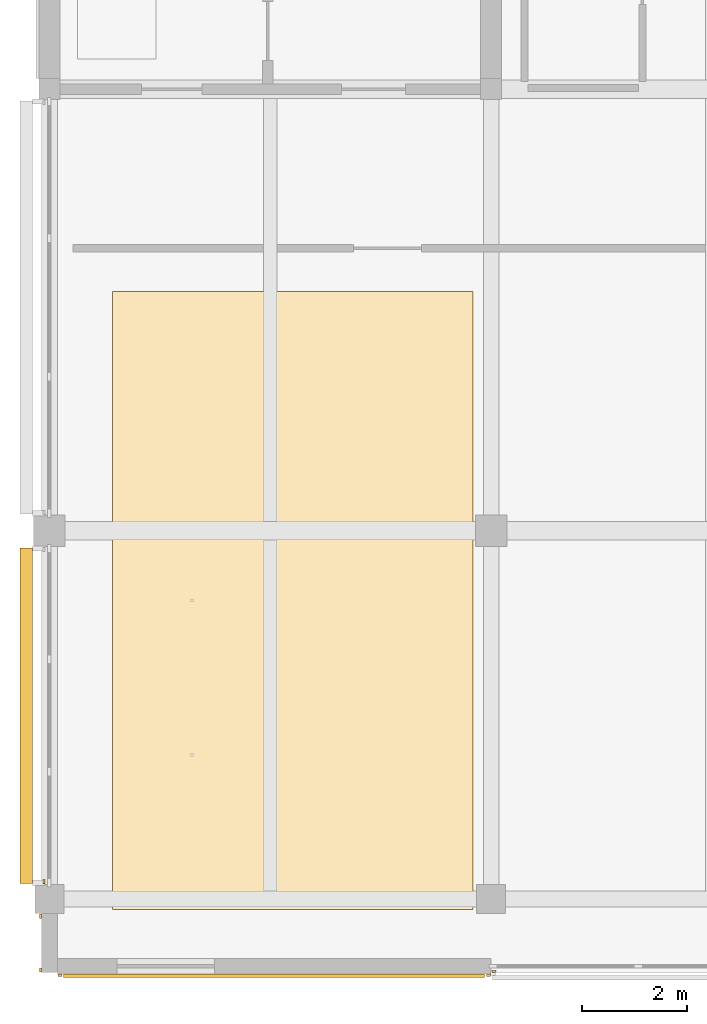
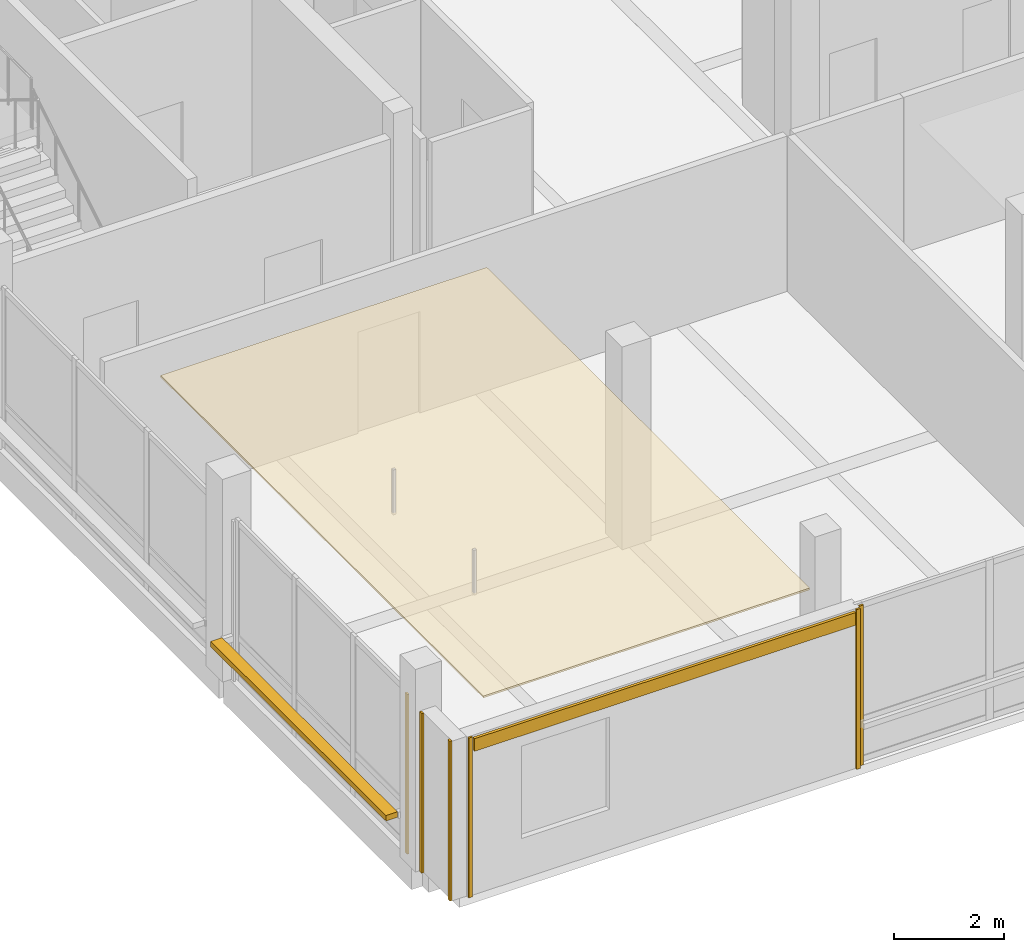
# One storey, part 14 of 25: 8 coverings, 1 shading device.
"""IFC4 building model written with IfcOpenShell, lengths in metres."""

from ifc_helpers import new_model, si_unit, direction, frame, origin, origin_2d, place, context, subcontext, project, spatial, polyline, rectangle, outline, extrude, material, layer, layer_set, type_object, element, save


model = new_model("IFC4")

# Units and contexts
model_context = context("Model", 3, precision=1e-05, world=origin(), true_north=direction((0.0, 1.0)))
body_context = subcontext(model_context, "Body", "Model", "MODEL_VIEW")
ifc_project = project(units=[si_unit("LENGTHUNIT", "METRE"), si_unit("AREAUNIT", "SQUARE_METRE"), si_unit("VOLUMEUNIT", "CUBIC_METRE"), si_unit("PLANEANGLEUNIT", "RADIAN"), si_unit("MASSUNIT", "GRAM", prefix="KILO")], contexts=[model_context])

# Site, building, storey
site_placement = place(None, origin())
site = spatial("IfcSite", under=ifc_project, at=site_placement, CompositionType="ELEMENT")
building_placement = place(site_placement, origin())
building = spatial("IfcBuilding", under=site, at=building_placement, Name="Telukmera Botanical Conservatory", CompositionType="ELEMENT")
storey_placement = place(building_placement, frame((0.0, 0.0, 64.5)))
storey = spatial("IfcBuildingStorey", under=building, at=storey_placement, Name="L14", CompositionType="ELEMENT", Elevation=64.5)

# Coverings
ifc_material_1 = material(Name="Perforated gypsum acoustic ceiling")
ifc_layer_1 = layer(ifc_material_1, 0.0400390625)
ifc_layer_set_1 = layer_set([ifc_layer_1], Name="Perforated gypsum acoustic ceiling")
covering_type_1 = type_object("IfcCoveringType", Name="COV-CEIL-40", PredefinedType="CEILING", material=ifc_layer_set_1)
covering_1_placement = place(storey_placement, frame((0.0, 0.0, 3.31005859375)))
element("IfcCovering", 1, at=covering_1_placement, inside=storey, type_object=covering_type_1, Name="L14 Symposium Seminar Room Suspended Acoustic Ceiling", PredefinedType="CEILING", context=body_context, shape_type="SweptSolid", body=[
    extrude(outline(polyline([(60.0, 10.39990234375), (66.85498046875, 10.39990234375), (66.85498046875, 22.14990234375), (60.0, 22.14990234375), (60.0, 10.39990234375)])), origin(), (0.0, 0.0, 1.0), 0.0400390625),
])
ifc_material_2 = material(Name="Granite-faced precast concrete C40/50", Category="masonry")
ifc_layer_2 = layer(ifc_material_2, 0.0400390625)
ifc_layer_set_2 = layer_set([ifc_layer_2], Name="Granite-faced precast concrete C40/50")
covering_type_2 = type_object("IfcCoveringType", Name="Granite Precast Column Pier Reveal Casing", PredefinedType="CLADDING", material=ifc_layer_set_2)
for number, where, z_axis, x_axis, name in (
    (2, (58.6298828125, 9.25, 0.0), (0.0, 0.0, 1.0), (0.0, 1.0, 0.0), "Granite Pier Reveal V4:L14:SWC L"),
    (3, (58.6298828125, 10.27294921875, 0.0), (0.0, 0.0, 1.0), (0.0, 1.0, 0.0), "Granite Pier Reveal V4:L14:SWC R"),
    (4, (59.001953125, 9.14990234375, 0.0), (0.0, 0.0, 1.0), (1.0, 0.0, 0.0), "Granite Pier Reveal V4:L14:S1 L"),
    (5, (67.14794921875, 9.14990234375, 0.0), (0.0, 0.0, 1.0), (1.0, 0.0, 0.0), "Granite Pier Reveal V4:L14:S1 R"),
    (6, (67.251953125, 9.219970703125, 0.0), (0.0, 0.0, 1.0), (1.0, 0.0, 0.0), "Granite Pier Reveal V4:L14:S2 L"),
    (7, (58.699951171875, 10.927001953125, 0.0), (0.0, 0.0, 1.0), (0.0, 1.0, 0.0), "Granite Pier Reveal V4:L14:W1 L"),
):
    element("IfcCovering", number, at=place(storey_placement, frame(where, z_axis=z_axis, x_axis=x_axis)), inside=storey, type_object=covering_type_2, Name=name, PredefinedType="CLADDING", context=body_context, shape_type="SweptSolid", body=[
        extrude(rectangle(XDim=0.080078125, YDim=0.0400390625, at=origin_2d()), origin(), (0.0, 0.0, 1.0), 3.550048828125),
    ])

# Shading device
ifc_material_3 = material(Name="Perforated terracotta-anodised aluminium 6063-T6", Category="masonry")
ifc_layer_3 = layer(ifc_material_3, 0.044921875)
ifc_layer_set_3 = layer_set([ifc_layer_3], Name="Perforated terracotta-anodised aluminium 6063-T6")
shading_device_type = type_object("IfcShadingDeviceType", Name="Perforated Terracotta Aluminium Monsoon Brise Soleil", PredefinedType="JALOUSIE", material=ifc_layer_set_3)
shading_device_placement = place(storey_placement, frame((58.360107421875, 14.08740234375, 0.889892578125), z_axis=(0.0, 0.0, 1.0), x_axis=(0.0, 1.0, 0.0)))
element("IfcShadingDevice", 8, at=shading_device_placement, inside=storey, type_object=shading_device_type, Name="Monsoon Shading BS01 V4:L14:W1", PredefinedType="JALOUSIE", context=body_context, shape_type="SweptSolid", body=[
    extrude(rectangle(XDim=6.381103515625, YDim=0.239990234375, at=origin_2d()), origin(), (0.0, 0.0, 1.0), 0.1201171875),
])

# Covering
ifc_material_4 = material(Name="Terracotta-faced precast concrete C40/50", Category="masonry")
ifc_layer_4 = layer(ifc_material_4, 0.06005859375)
ifc_layer_set_4 = layer_set([ifc_layer_4], Name="Terracotta-faced precast concrete C40/50")
covering_type_3 = type_object("IfcCoveringType", Name="Polychrome Terracotta Facade Band Cladding", PredefinedType="CLADDING", material=ifc_layer_set_4)
covering_2_placement = place(storey_placement, frame((63.074951171875, 9.139892578125, 3.22998046875), z_axis=(0.0, 0.0, 1.0), x_axis=(1.0, 0.0, 0.0)))
element("IfcCovering", 9, at=covering_2_placement, inside=storey, type_object=covering_type_3, Name="Polychrome Terracotta Band V4:L14:S1", PredefinedType="CLADDING", context=body_context, shape_type="SweptSolid", body=[
    extrude(rectangle(XDim=8.006103515625, YDim=0.06005859375, at=origin_2d()), origin(), (0.0, 0.0, 1.0), 0.280029296875),
])

save(model, "model.ifc")
